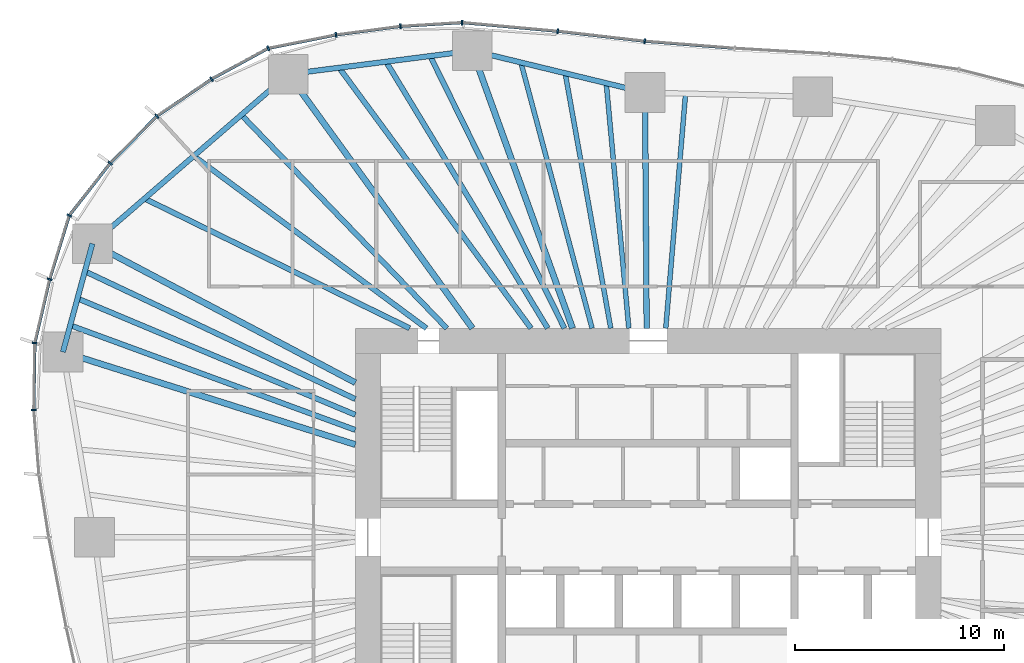
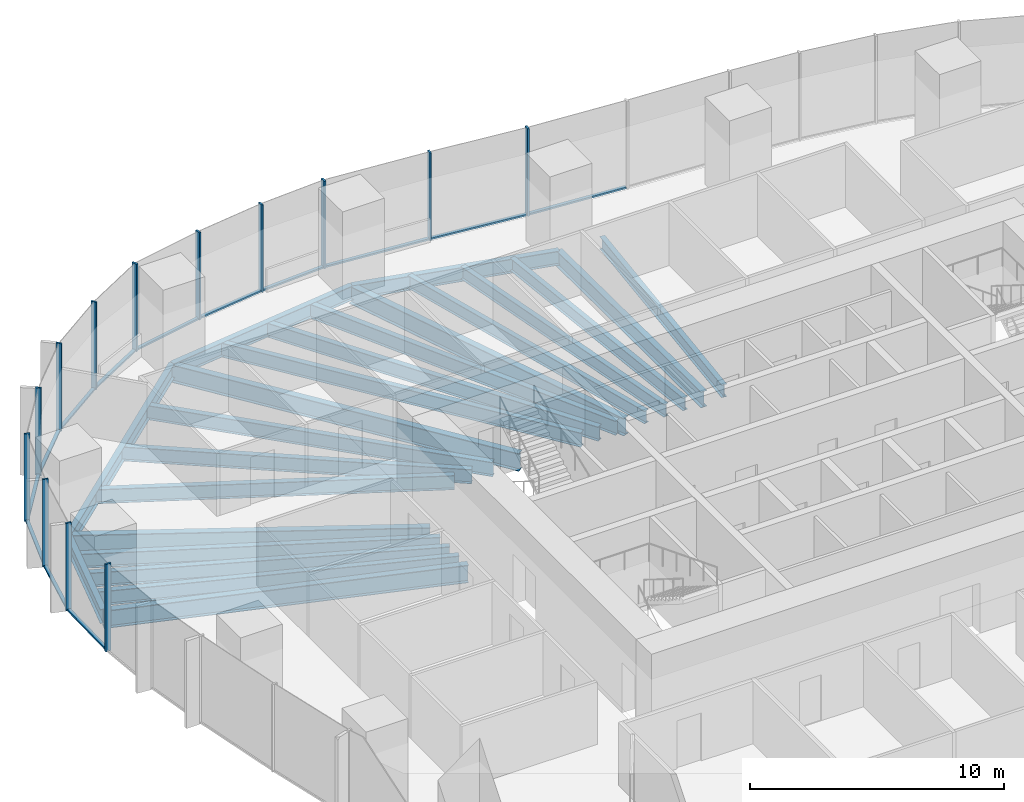
# One storey, part 5 of 20: 26 members, 22 beams, 6 elements without a shape of their own.
"""IFC4 building model written with IfcOpenShell, lengths in metres."""

from ifc_helpers import new_model, si_unit, direction, frame, origin, origin_2d, place, context, subcontext, project, spatial, rectangle, i_section, extrude, material, material_profile, profile_set, type_object, element, aggregate, save


model = new_model("IFC4")

# Units and contexts
model_context = context("Model", 3, precision=1e-05, world=origin(), true_north=direction((0.0, 1.0)))
body_context = subcontext(model_context, "Body", "Model", "MODEL_VIEW")
ifc_project = project(units=[si_unit("LENGTHUNIT", "METRE"), si_unit("AREAUNIT", "SQUARE_METRE"), si_unit("VOLUMEUNIT", "CUBIC_METRE"), si_unit("PLANEANGLEUNIT", "RADIAN"), si_unit("MASSUNIT", "GRAM", prefix="KILO")], contexts=[model_context])

# Site, building, storey
site_placement = place(None, origin())
site = spatial("IfcSite", under=ifc_project, at=site_placement, CompositionType="ELEMENT")
building_placement = place(site_placement, origin())
building = spatial("IfcBuilding", under=site, at=building_placement, Name="Ghaith Harvest Tower", CompositionType="ELEMENT")
storey_placement = place(building_placement, frame((0.0, 0.0, 109.199951171875)))
storey = spatial("IfcBuildingStorey", under=building, at=storey_placement, Name="L22", CompositionType="ELEMENT", Elevation=109.199951171875)

# Curtain wall, members
ifc_material_1 = material(Name="Black anodised aluminium and fritted glass", Category="aluminium")
curtain_wall_type = type_object("IfcCurtainWallType", Name="CW-L CURTAIN WALL", PredefinedType="NOTDEFINED", material=ifc_material_1)
curtain_wall_1_placement = place(storey_placement, origin())
curtain_wall_1 = element("IfcCurtainWall", 1, at=curtain_wall_1_placement, inside=storey, type_object=curtain_wall_type, Name="Curtain wall CW-L bay 06 L22", PredefinedType="NOTDEFINED")
ifc_material_2 = material(Name="Aluminium, black anodised", Category="aluminium")
ifc_material_profile_1 = material_profile(ifc_material_2, rectangle(XDim=0.080078125, YDim=0.239990234375, at=origin_2d()), Name="CW-L MULLION 80x240")
ifc_profile_set_1 = profile_set([ifc_material_profile_1], Name="Aluminium, black anodised")
member_type_1 = type_object("IfcMemberType", Name="CW-L MULLION 80x240", PredefinedType="MULLION", material=ifc_profile_set_1)
member_1_placement = place(storey_placement, frame((-0.162353515625, 23.729736328125, 0.0), z_axis=(0.0, 0.0, 1.0), x_axis=(-0.995388088953, 0.095929934691, 0.0)))
member_1 = element("IfcMember", 2, at=member_1_placement, type_object=member_type_1, Name="CW-L mullion 1 bay 06 L22", PredefinedType="MULLION", context=body_context, shape_type="SweptSolid", body=[
    extrude(rectangle(XDim=0.080078125, YDim=0.239990234375, at=origin_2d()), origin(), (0.0, 0.0, 1.0), 4.199951171875),
])
member_2_placement = place(storey_placement, frame((-4.322998046875, 24.207275390625, 0.0), z_axis=(0.0, 0.0, 1.0), x_axis=(-0.994830371571, 0.101550636625, 0.0)))
member_2 = element("IfcMember", 3, at=member_2_placement, type_object=member_type_1, Name="CW-L mullion 2 bay 06 L22", PredefinedType="MULLION", context=body_context, shape_type="SweptSolid", body=[
    extrude(rectangle(XDim=0.080078125, YDim=0.239990234375, at=origin_2d()), origin(), (0.0, 0.0, 1.0), 4.199951171875),
])

curtain_wall_2_placement = place(storey_placement, origin())
curtain_wall_2 = element("IfcCurtainWall", 4, at=curtain_wall_2_placement, inside=storey, type_object=curtain_wall_type, Name="Curtain wall CW-L bay 07 L22", PredefinedType="NOTDEFINED")
member_3_placement = place(storey_placement, frame((-8.892578125, 24.620849609375, 0.0), z_axis=(0.0, 0.0, 1.0), x_axis=(-0.999522209385, 0.030908784286, 0.0)))
member_3 = element("IfcMember", 5, at=member_3_placement, type_object=member_type_1, Name="CW-L mullion 1 bay 07 L22", PredefinedType="MULLION", context=body_context, shape_type="SweptSolid", body=[
    extrude(rectangle(XDim=0.080078125, YDim=0.239990234375, at=origin_2d()), origin(), (0.0, 0.0, 1.0), 4.199951171875),
])
member_4_placement = place(storey_placement, frame((-11.841064453125, 24.439697265625, 0.0), z_axis=(0.0, 0.0, 1.0), x_axis=(-0.995237520168, -0.097479630949, 0.0)))
member_4 = element("IfcMember", 6, at=member_4_placement, type_object=member_type_1, Name="CW-L mullion 2 bay 07 L22", PredefinedType="MULLION", context=body_context, shape_type="SweptSolid", body=[
    extrude(rectangle(XDim=0.080078125, YDim=0.239990234375, at=origin_2d()), origin(), (0.0, 0.0, 1.0), 4.199951171875),
])
member_5_placement = place(storey_placement, frame((-14.923828125, 24.030029296875, 0.0), z_axis=(0.0, 0.0, 1.0), x_axis=(-0.986494514812, -0.163794298578, 0.0)))
member_5 = element("IfcMember", 7, at=member_5_placement, type_object=member_type_1, Name="CW-L mullion 3 bay 07 L22", PredefinedType="MULLION", context=body_context, shape_type="SweptSolid", body=[
    extrude(rectangle(XDim=0.080078125, YDim=0.239990234375, at=origin_2d()), origin(), (0.0, 0.0, 1.0), 4.199951171875),
])

curtain_wall_3_placement = place(storey_placement, origin())
curtain_wall_3 = element("IfcCurtainWall", 8, at=curtain_wall_3_placement, inside=storey, type_object=curtain_wall_type, Name="Curtain wall CW-L bay 08 L22", PredefinedType="NOTDEFINED")
member_6_placement = place(storey_placement, frame((-18.165283203125, 23.3896484375, 0.0), z_axis=(0.0, 0.0, 1.0), x_axis=(-0.942103541202, -0.335322110298, 0.0)))
member_6 = element("IfcMember", 9, at=member_6_placement, type_object=member_type_1, Name="CW-L mullion 1 bay 08 L22", PredefinedType="MULLION", context=body_context, shape_type="SweptSolid", body=[
    extrude(rectangle(XDim=0.080078125, YDim=0.239990234375, at=origin_2d()), origin(), (0.0, 0.0, 1.0), 4.199951171875),
])
member_7_placement = place(storey_placement, frame((-20.87548828125, 21.91162109375, 0.0), z_axis=(0.0, 0.0, 1.0), x_axis=(-0.853515864435, -0.521066856707, 0.0)))
member_7 = element("IfcMember", 10, at=member_7_placement, type_object=member_type_1, Name="CW-L mullion 2 bay 08 L22", PredefinedType="MULLION", context=body_context, shape_type="SweptSolid", body=[
    extrude(rectangle(XDim=0.080078125, YDim=0.239990234375, at=origin_2d()), origin(), (0.0, 0.0, 1.0), 4.199951171875),
])
member_8_placement = place(storey_placement, frame((-23.489501953125, 20.13916015625, 0.0), z_axis=(0.0, 0.0, 1.0), x_axis=(-0.769682554376, -0.638426789451, 0.0)))
member_8 = element("IfcMember", 11, at=member_8_placement, type_object=member_type_1, Name="CW-L mullion 3 bay 08 L22", PredefinedType="MULLION", context=body_context, shape_type="SweptSolid", body=[
    extrude(rectangle(XDim=0.080078125, YDim=0.239990234375, at=origin_2d()), origin(), (0.0, 0.0, 1.0), 4.199951171875),
])

curtain_wall_4_placement = place(storey_placement, origin())
curtain_wall_4 = element("IfcCurtainWall", 12, at=curtain_wall_4_placement, inside=storey, type_object=curtain_wall_type, Name="Curtain wall CW-L bay 09 L22", PredefinedType="NOTDEFINED")
member_9_placement = place(storey_placement, frame((-25.718017578125, 17.894775390625, 0.0), z_axis=(0.0, 0.0, 1.0), x_axis=(-0.661903840688, -0.749588757708, 0.0)))
member_9 = element("IfcMember", 13, at=member_9_placement, type_object=member_type_1, Name="CW-L mullion 1 bay 09 L22", PredefinedType="MULLION", context=body_context, shape_type="SweptSolid", body=[
    extrude(rectangle(XDim=0.080078125, YDim=0.239990234375, at=origin_2d()), origin(), (0.0, 0.0, 1.0), 4.199951171875),
])
member_10_placement = place(storey_placement, frame((-27.67919921875, 15.39453125, 0.0), z_axis=(0.0, 0.0, 1.0), x_axis=(-0.462889784298, -0.886415843491, 0.0)))
member_10 = element("IfcMember", 14, at=member_10_placement, type_object=member_type_1, Name="CW-L mullion 2 bay 09 L22", PredefinedType="MULLION", context=body_context, shape_type="SweptSolid", body=[
    extrude(rectangle(XDim=0.080078125, YDim=0.239990234375, at=origin_2d()), origin(), (0.0, 0.0, 1.0), 4.199951171875),
])
member_11_placement = place(storey_placement, frame((-28.61669921875, 12.343994140625, 0.0), z_axis=(0.0, 0.0, 1.0), x_axis=(-0.260727312416, -0.965412486226, 0.0)))
member_11 = element("IfcMember", 15, at=member_11_placement, type_object=member_type_1, Name="CW-L mullion 3 bay 09 L22", PredefinedType="MULLION", context=body_context, shape_type="SweptSolid", body=[
    extrude(rectangle(XDim=0.080078125, YDim=0.239990234375, at=origin_2d()), origin(), (0.0, 0.0, 1.0), 4.199951171875),
])

curtain_wall_5_placement = place(storey_placement, origin())
curtain_wall_5 = element("IfcCurtainWall", 16, at=curtain_wall_5_placement, inside=storey, type_object=curtain_wall_type, Name="Curtain wall CW-L bay 10 L22", PredefinedType="NOTDEFINED")
member_12_placement = place(storey_placement, frame((-29.32666015625, 9.294189453125, 0.0), z_axis=(0.0, 0.0, 1.0), x_axis=(-0.120932140225, -0.99266077663, 0.0)))
member_12 = element("IfcMember", 17, at=member_12_placement, type_object=member_type_1, Name="CW-L mullion 1 bay 10 L22", PredefinedType="MULLION", context=body_context, shape_type="SweptSolid", body=[
    extrude(rectangle(XDim=0.080078125, YDim=0.239990234375, at=origin_2d()), origin(), (0.0, 0.0, 1.0), 4.199951171875),
])
member_13_placement = place(storey_placement, frame((-29.3779296875, 6.09619140625, 0.0), z_axis=(0.0, 0.0, 1.0), x_axis=(0.031027769448, -0.999518522851, 0.0)))
member_13 = element("IfcMember", 18, at=member_13_placement, type_object=member_type_1, Name="CW-L mullion 2 bay 10 L22", PredefinedType="MULLION", context=body_context, shape_type="SweptSolid", body=[
    extrude(rectangle(XDim=0.080078125, YDim=0.239990234375, at=origin_2d()), origin(), (0.0, 0.0, 1.0), 4.199951171875),
])

# Curtain wall, member
curtain_wall_6_placement = place(storey_placement, origin())
curtain_wall_6 = element("IfcCurtainWall", 19, at=curtain_wall_6_placement, inside=storey, type_object=curtain_wall_type, Name="Curtain wall CW-L bay 05 L22", PredefinedType="NOTDEFINED")
ifc_material_3 = material(Name="Aluminium, black anodised", Category="aluminium")
ifc_material_profile_2 = material_profile(ifc_material_3, rectangle(XDim=0.14990234375, YDim=0.080078125, at=origin_2d()), Name="CW-L TRANSOM 150x80")
ifc_profile_set_2 = profile_set([ifc_material_profile_2], Name="Aluminium, black anodised")
member_type_2 = type_object("IfcMemberType", Name="CW-L TRANSOM 150x80", PredefinedType="USERDEFINED", material=ifc_profile_set_2)
member_14_placement = place(storey_placement, frame((4.106689453125, 23.39404296875, 0.0400390625), z_axis=(-0.996923406046, 0.078381901463, 0.0), x_axis=(-0.078381901463, -0.996923406046, 0.0)))
member_14 = element("IfcMember", 20, at=member_14_placement, type_object=member_type_2, Name="CW-L transom 2 bay 05 L22", ObjectType="TRANSOM", PredefinedType="USERDEFINED", context=body_context, shape_type="SweptSolid", body=[
    extrude(rectangle(XDim=0.14990234375, YDim=0.080078125, at=origin_2d()), origin(), (0.0, 0.0, 1.0), 4.2421875),
])
aggregate(curtain_wall_6, [member_14])

# Member
member_15_placement = place(storey_placement, frame((-0.2021484375, 23.734130859375, 0.0400390625), z_axis=(-0.993474883942, 0.114051106861, 0.0), x_axis=(-0.114051106861, -0.993474883942, 0.0)))
member_15 = element("IfcMember", 21, at=member_15_placement, type_object=member_type_2, Name="CW-L transom 1 bay 06 L22", ObjectType="TRANSOM", PredefinedType="USERDEFINED", context=body_context, shape_type="SweptSolid", body=[
    extrude(rectangle(XDim=0.14990234375, YDim=0.080078125, at=origin_2d()), origin(), (0.0, 0.0, 1.0), 4.10791015625),
])

member_16_placement = place(storey_placement, frame((-4.36279296875, 24.210693359375, 0.0400390625), z_axis=(-0.995926431676, 0.090169521954, 0.0), x_axis=(-0.090169521954, -0.995926431676, 0.0)))
member_16 = element("IfcMember", 22, at=member_16_placement, type_object=member_type_2, Name="CW-L transom 2 bay 06 L22", ObjectType="TRANSOM", PredefinedType="USERDEFINED", context=body_context, shape_type="SweptSolid", body=[
    extrude(rectangle(XDim=0.14990234375, YDim=0.080078125, at=origin_2d()), origin(), (0.0, 0.0, 1.0), 4.508056640625),
])

aggregate(curtain_wall_1, [member_1, member_15, member_2, member_16])

member_17_placement = place(storey_placement, frame((-8.932373046875, 24.618408203125, 0.0400390625), z_axis=(-0.998117793577, -0.061325933705, 0.0), x_axis=(0.061325933705, -0.998117793577, 0.0)))
member_17 = element("IfcMember", 23, at=member_17_placement, type_object=member_type_2, Name="CW-L transom 1 bay 07 L22", ObjectType="TRANSOM", PredefinedType="USERDEFINED", context=body_context, shape_type="SweptSolid", body=[
    extrude(rectangle(XDim=0.14990234375, YDim=0.080078125, at=origin_2d()), origin(), (0.0, 0.0, 1.0), 2.874267578125),
])

member_18_placement = place(storey_placement, frame((-11.880859375, 24.434326171875, 0.0400390625), z_axis=(-0.991293929443, -0.131667556553, 0.0), x_axis=(0.131667556553, -0.991293929443, 0.0)))
member_18 = element("IfcMember", 24, at=member_18_placement, type_object=member_type_2, Name="CW-L transom 2 bay 07 L22", ObjectType="TRANSOM", PredefinedType="USERDEFINED", context=body_context, shape_type="SweptSolid", body=[
    extrude(rectangle(XDim=0.14990234375, YDim=0.080078125, at=origin_2d()), origin(), (0.0, 0.0, 1.0), 3.02978515625),
])

member_19_placement = place(storey_placement, frame((-14.963134765625, 24.022216796875, 0.0400390625), z_axis=(-0.98104391994, -0.19378551842, 0.0), x_axis=(0.19378551842, -0.98104391994, 0.0)))
member_19 = element("IfcMember", 25, at=member_19_placement, type_object=member_type_2, Name="CW-L transom 3 bay 07 L22", ObjectType="TRANSOM", PredefinedType="USERDEFINED", context=body_context, shape_type="SweptSolid", body=[
    extrude(rectangle(XDim=0.14990234375, YDim=0.080078125, at=origin_2d()), origin(), (0.0, 0.0, 1.0), 3.223876953125),
])

aggregate(curtain_wall_2, [member_3, member_17, member_4, member_18, member_5, member_19])

member_20_placement = place(storey_placement, frame((-18.200439453125, 23.37060546875, 0.0400390625), z_axis=(-0.877929702377, -0.478789554695, 0.0), x_axis=(0.478789554695, -0.877929702377, 0.0)))
member_20 = element("IfcMember", 26, at=member_20_placement, type_object=member_type_2, Name="CW-L transom 1 bay 08 L22", ObjectType="TRANSOM", PredefinedType="USERDEFINED", context=body_context, shape_type="SweptSolid", body=[
    extrude(rectangle(XDim=0.14990234375, YDim=0.080078125, at=origin_2d()), origin(), (0.0, 0.0, 1.0), 3.0068359375),
])

member_21_placement = place(storey_placement, frame((-20.908447265625, 21.88916015625, 0.0400390625), z_axis=(-0.827681025079, -0.561198824593, 0.0), x_axis=(0.561198824593, -0.827681025079, 0.0)))
member_21 = element("IfcMember", 27, at=member_21_placement, type_object=member_type_2, Name="CW-L transom 2 bay 08 L22", ObjectType="TRANSOM", PredefinedType="USERDEFINED", context=body_context, shape_type="SweptSolid", body=[
    extrude(rectangle(XDim=0.14990234375, YDim=0.080078125, at=origin_2d()), origin(), (0.0, 0.0, 1.0), 3.078369140625),
])

member_22_placement = place(storey_placement, frame((-23.517578125, 20.11083984375, 0.0400390625), z_axis=(-0.704647577514, -0.709557461735, 0.0), x_axis=(0.709557461735, -0.704647577514, 0.0)))
member_22 = element("IfcMember", 28, at=member_22_placement, type_object=member_type_2, Name="CW-L transom 3 bay 08 L22", ObjectType="TRANSOM", PredefinedType="USERDEFINED", context=body_context, shape_type="SweptSolid", body=[
    extrude(rectangle(XDim=0.14990234375, YDim=0.080078125, at=origin_2d()), origin(), (0.0, 0.0, 1.0), 3.0830078125),
])

aggregate(curtain_wall_3, [member_6, member_20, member_7, member_21, member_8, member_22])

member_23_placement = place(storey_placement, frame((-25.74267578125, 17.86328125, 0.0400390625), z_axis=(-0.617198298797, -0.786807638474, 0.0), x_axis=(0.786807638474, -0.617198298797, 0.0)))
member_23 = element("IfcMember", 29, at=member_23_placement, type_object=member_type_2, Name="CW-L transom 1 bay 09 L22", ObjectType="TRANSOM", PredefinedType="USERDEFINED", context=body_context, shape_type="SweptSolid", body=[
    extrude(rectangle(XDim=0.14990234375, YDim=0.080078125, at=origin_2d()), origin(), (0.0, 0.0, 1.0), 3.09765625),
])

member_24_placement = place(storey_placement, frame((-27.69091796875, 15.356201171875, 0.0400390625), z_axis=(-0.293777058804, -0.955873966441, 0.0), x_axis=(0.955873966441, -0.293777058804, 0.0)))
member_24 = element("IfcMember", 30, at=member_24_placement, type_object=member_type_2, Name="CW-L transom 2 bay 09 L22", ObjectType="TRANSOM", PredefinedType="USERDEFINED", context=body_context, shape_type="SweptSolid", body=[
    extrude(rectangle(XDim=0.14990234375, YDim=0.080078125, at=origin_2d()), origin(), (0.0, 0.0, 1.0), 3.111328125),
])

member_25_placement = place(storey_placement, frame((-28.6259765625, 12.304931640625, 0.0400390625), z_axis=(-0.226670598607, -0.973971477882, 0.0), x_axis=(0.973971477882, -0.226670598607, 0.0)))
member_25 = element("IfcMember", 31, at=member_25_placement, type_object=member_type_2, Name="CW-L transom 3 bay 09 L22", ObjectType="TRANSOM", PredefinedType="USERDEFINED", context=body_context, shape_type="SweptSolid", body=[
    extrude(rectangle(XDim=0.14990234375, YDim=0.080078125, at=origin_2d()), origin(), (0.0, 0.0, 1.0), 3.05126953125),
])

aggregate(curtain_wall_4, [member_9, member_23, member_10, member_24, member_11, member_25])

member_26_placement = place(storey_placement, frame((-29.327392578125, 9.254150390625, 0.0400390625), z_axis=(-0.015971652868, -0.999872445017, 0.0), x_axis=(0.999872445017, -0.015971652868, 0.0)))
member_26 = element("IfcMember", 32, at=member_26_placement, type_object=member_type_2, Name="CW-L transom 1 bay 10 L22", ObjectType="TRANSOM", PredefinedType="USERDEFINED", context=body_context, shape_type="SweptSolid", body=[
    extrude(rectangle(XDim=0.14990234375, YDim=0.080078125, at=origin_2d()), origin(), (0.0, 0.0, 1.0), 3.118408203125),
])

aggregate(curtain_wall_5, [member_12, member_26, member_13])

# Beams
ifc_material_4 = material(Name="Steel ASTM A992 Grade 50", Category="steel")
ifc_material_profile_3 = material_profile(ifc_material_4, i_section(OverallWidth=0.25390625, OverallDepth=0.68408203125, WebThickness=0.012451171875, FlangeThickness=0.018798828125, at=origin_2d()), Name="W690X140")
ifc_profile_set_3 = profile_set([ifc_material_profile_3], Name="Steel ASTM A992 Grade 50")
beam_type_1 = type_object("IfcBeamType", Name="E690-140 W690X140", PredefinedType="SPANDREL", material=ifc_profile_set_3)
beam_1_placement = place(storey_placement, frame((-0.14599609375, 21.27099609375, -0.511962890625), z_axis=(-0.971790293477, 0.235846614358, 0.0), x_axis=(-0.235846614358, -0.971790293477, 0.0)))
element("IfcBeam", 33, at=beam_1_placement, inside=storey, type_object=beam_type_1, Name="Edge beam E06 L22", PredefinedType="SPANDREL", context=body_context, shape_type="SweptSolid", body=[
    extrude(i_section(OverallWidth=0.25390625, OverallDepth=0.68408203125, WebThickness=0.012451171875, FlangeThickness=0.018798828125, at=origin_2d()), origin(), (0.0, 0.0, 1.0), 8.500732421875),
])
beam_2_placement = place(storey_placement, frame((-8.406982421875, 23.27587890625, -0.511962890625), z_axis=(-0.991904090065, -0.126989275577, 0.0), x_axis=(0.126989275577, -0.991904090065, 0.0)))
element("IfcBeam", 34, at=beam_2_placement, inside=storey, type_object=beam_type_1, Name="Edge beam E07 L22", PredefinedType="SPANDREL", context=body_context, shape_type="SweptSolid", body=[
    extrude(i_section(OverallWidth=0.25390625, OverallDepth=0.68408203125, WebThickness=0.012451171875, FlangeThickness=0.018798828125, at=origin_2d()), origin(), (0.0, 0.0, 1.0), 8.86669921875),
])
beam_3_placement = place(storey_placement, frame((-17.201904296875, 22.14990234375, -0.511962890625), z_axis=(-0.756392158274, -0.654118416574, 0.0), x_axis=(0.654118416574, -0.756392158274, 0.0)))
element("IfcBeam", 35, at=beam_3_placement, inside=storey, type_object=beam_type_1, Name="Edge beam E08 L22", PredefinedType="SPANDREL", context=body_context, shape_type="SweptSolid", body=[
    extrude(i_section(OverallWidth=0.25390625, OverallDepth=0.68408203125, WebThickness=0.012451171875, FlangeThickness=0.018798828125, at=origin_2d()), origin(), (0.0, 0.0, 1.0), 12.38916015625),
])
beam_4_placement = place(storey_placement, frame((-26.572998046875, 14.0458984375, -0.511962890625), z_axis=(-0.262724740433, -0.964870825947, 0.0), x_axis=(0.964870825947, -0.262724740433, 0.0)))
element("IfcBeam", 36, at=beam_4_placement, inside=storey, type_object=beam_type_1, Name="Edge beam E09 L22", PredefinedType="SPANDREL", context=body_context, shape_type="SweptSolid", body=[
    extrude(i_section(OverallWidth=0.25390625, OverallDepth=0.68408203125, WebThickness=0.012451171875, FlangeThickness=0.018798828125, at=origin_2d()), origin(), (0.0, 0.0, 1.0), 5.366455078125),
])
ifc_material_5 = material(Name="Steel ASTM A992 Grade 50", Category="steel")
ifc_material_profile_4 = material_profile(ifc_material_5, i_section(OverallWidth=0.26806640625, OverallDepth=0.77001953125, WebThickness=0.015625, FlangeThickness=0.025390625, at=origin_2d()), Name="W760X196")
ifc_profile_set_4 = profile_set([ifc_material_profile_4], Name="Steel ASTM A992 Grade 50")
beam_type_2 = type_object("IfcBeamType", Name="G760-196 W760X196", PredefinedType="BEAM", material=ifc_profile_set_4)
beam_5_placement = place(storey_placement, frame((-0.068359375, 10.0, -0.554931640625), z_axis=(-0.006888022705, 0.99997627729, 0.0), x_axis=(-0.99997627729, -0.006888022705, 0.0)))
element("IfcBeam", 37, at=beam_5_placement, inside=storey, type_object=beam_type_2, Name="Radial girder G06 L22", PredefinedType="BEAM", context=body_context, shape_type="SweptSolid", body=[
    extrude(i_section(OverallWidth=0.26806640625, OverallDepth=0.77001953125, WebThickness=0.015625, FlangeThickness=0.025390625, at=origin_2d()), origin(), (0.0, 0.0, 1.0), 11.271240234375),
])
ifc_material_6 = material(Name="Steel ASTM A992 Grade 50", Category="steel")
ifc_material_profile_5 = material_profile(ifc_material_6, i_section(OverallWidth=0.2939453125, OverallDepth=0.85107421875, WebThickness=0.01611328125, FlangeThickness=0.02685546875, at=origin_2d()), Name="W840X226")
ifc_profile_set_5 = profile_set([ifc_material_profile_5], Name="Steel ASTM A992 Grade 50")
beam_type_3 = type_object("IfcBeamType", Name="G840-226 W840X226", PredefinedType="BEAM", material=ifc_profile_set_5)
beam_6_placement = place(storey_placement, frame((-3.61181640625, 10.0, -0.595458984375), z_axis=(-0.339713316819, 0.940529033245, 0.0), x_axis=(-0.940529033245, -0.339713316819, 0.0)))
element("IfcBeam", 38, at=beam_6_placement, inside=storey, type_object=beam_type_3, Name="Radial girder G07 L22", PredefinedType="BEAM", context=body_context, shape_type="SweptSolid", body=[
    extrude(i_section(OverallWidth=0.2939453125, OverallDepth=0.85107421875, WebThickness=0.01611328125, FlangeThickness=0.02685546875, at=origin_2d()), origin(), (0.0, 0.0, 1.0), 14.115234375),
])
beam_7_placement = place(storey_placement, frame((-8.39990234375, 10.0, -0.595458984375), z_axis=(-0.586675813287, 0.809821887889, 0.0), x_axis=(-0.809821887889, -0.586675813287, 0.0)))
element("IfcBeam", 39, at=beam_7_placement, inside=storey, type_object=beam_type_3, Name="Radial girder G08 L22", PredefinedType="BEAM", context=body_context, shape_type="SweptSolid", body=[
    extrude(i_section(OverallWidth=0.2939453125, OverallDepth=0.85107421875, WebThickness=0.01611328125, FlangeThickness=0.02685546875, at=origin_2d()), origin(), (0.0, 0.0, 1.0), 15.003173828125),
])
beam_8_placement = place(storey_placement, frame((-14.0, 7.39990234375, -0.595458984375), z_axis=(-0.88408713845, 0.467322085533, 0.0), x_axis=(-0.467322085533, -0.88408713845, 0.0)))
element("IfcBeam", 40, at=beam_8_placement, inside=storey, type_object=beam_type_3, Name="Radial girder G09 L22", PredefinedType="BEAM", context=body_context, shape_type="SweptSolid", body=[
    extrude(i_section(OverallWidth=0.2939453125, OverallDepth=0.85107421875, WebThickness=0.01611328125, FlangeThickness=0.02685546875, at=origin_2d()), origin(), (0.0, 0.0, 1.0), 14.221435546875),
])
beam_9_placement = place(storey_placement, frame((-14.0, 4.43701171875, -0.595458984375), z_axis=(-0.953283605796, 0.302076756671, 0.0), x_axis=(-0.302076756671, -0.953283605796, 0.0)))
element("IfcBeam", 41, at=beam_9_placement, inside=storey, type_object=beam_type_3, Name="Radial girder G10 L22", PredefinedType="BEAM", context=body_context, shape_type="SweptSolid", body=[
    extrude(i_section(OverallWidth=0.2939453125, OverallDepth=0.85107421875, WebThickness=0.01611328125, FlangeThickness=0.02685546875, at=origin_2d()), origin(), (0.0, 0.0, 1.0), 14.668212890625),
])
ifc_material_7 = material(Name="Steel ASTM A992 Grade 50", Category="steel")
ifc_material_profile_6 = material_profile(ifc_material_7, i_section(OverallWidth=0.22900390625, OverallDepth=0.612060546875, WebThickness=0.011962890625, FlangeThickness=0.01953125, at=origin_2d()), Name="W610X125")
ifc_profile_set_6 = profile_set([ifc_material_profile_6], Name="Steel ASTM A992 Grade 50")
beam_type_4 = type_object("IfcBeamType", Name="J610-125 W610X125", PredefinedType="JOIST", material=ifc_profile_set_6)
beam_10_placement = place(storey_placement, frame((0.844970703125, 10.0, -0.475830078125), z_axis=(0.084213263804, 0.996447753873, 0.0), x_axis=(-0.996447753873, 0.084213263804, 0.0)))
element("IfcBeam", 42, at=beam_10_placement, inside=storey, type_object=beam_type_4, Name="Joist J05.3 L22", PredefinedType="JOIST", context=body_context, shape_type="SweptSolid", body=[
    extrude(i_section(OverallWidth=0.22900390625, OverallDepth=0.612060546875, WebThickness=0.011962890625, FlangeThickness=0.01953125, at=origin_2d()), origin(), (0.0, 0.0, 1.0), 11.262939453125),
])
beam_11_placement = place(storey_placement, frame((-0.92041015625, 10.0, -0.475830078125), z_axis=(-0.091659676302, 0.995790391468, 0.0), x_axis=(-0.995790391468, -0.091659676302, 0.0)))
element("IfcBeam", 43, at=beam_11_placement, inside=storey, type_object=beam_type_4, Name="Joist J06.1 L22", PredefinedType="JOIST", context=body_context, shape_type="SweptSolid", body=[
    extrude(i_section(OverallWidth=0.22900390625, OverallDepth=0.612060546875, WebThickness=0.011962890625, FlangeThickness=0.01953125, at=origin_2d()), origin(), (0.0, 0.0, 1.0), 11.770263671875),
])
beam_12_placement = place(storey_placement, frame((-1.785888671875, 10.0, -0.475830078125), z_axis=(-0.175794730188, 0.984426844838, 0.0), x_axis=(-0.984426844838, -0.175794730188, 0.0)))
element("IfcBeam", 44, at=beam_12_placement, inside=storey, type_object=beam_type_4, Name="Joist J06.2 L22", PredefinedType="JOIST", context=body_context, shape_type="SweptSolid", body=[
    extrude(i_section(OverallWidth=0.22900390625, OverallDepth=0.612060546875, WebThickness=0.011962890625, FlangeThickness=0.01953125, at=origin_2d()), origin(), (0.0, 0.0, 1.0), 12.390625),
])
beam_13_placement = place(storey_placement, frame((-2.677978515625, 10.0, -0.475830078125), z_axis=(-0.258692500157, 0.965959725021, 0.0), x_axis=(-0.965959725021, -0.258692500157, 0.0)))
element("IfcBeam", 45, at=beam_13_placement, inside=storey, type_object=beam_type_4, Name="Joist J06.3 L22", PredefinedType="JOIST", context=body_context, shape_type="SweptSolid", body=[
    extrude(i_section(OverallWidth=0.22900390625, OverallDepth=0.612060546875, WebThickness=0.011962890625, FlangeThickness=0.01953125, at=origin_2d()), origin(), (0.0, 0.0, 1.0), 13.15966796875),
])
ifc_material_8 = material(Name="Steel ASTM A992 Grade 50", Category="steel")
ifc_material_profile_7 = material_profile(ifc_material_8, i_section(OverallWidth=0.25390625, OverallDepth=0.68408203125, WebThickness=0.012451171875, FlangeThickness=0.018798828125, at=origin_2d()), Name="W690X140")
ifc_profile_set_7 = profile_set([ifc_material_profile_7], Name="Steel ASTM A992 Grade 50")
beam_type_5 = type_object("IfcBeamType", Name="J690-140 W690X140", PredefinedType="JOIST", material=ifc_profile_set_7)
beam_14_placement = place(storey_placement, frame((-4.0, 10.0, -0.511962890625), z_axis=(-0.442214455448, 0.896909346251, 0.0), x_axis=(-0.896909346251, -0.442214455448, 0.0)))
element("IfcBeam", 46, at=beam_14_placement, inside=storey, type_object=beam_type_5, Name="Joist J07.1 L22", PredefinedType="JOIST", context=body_context, shape_type="SweptSolid", body=[
    extrude(i_section(OverallWidth=0.25390625, OverallDepth=0.68408203125, WebThickness=0.012451171875, FlangeThickness=0.018798828125, at=origin_2d()), origin(), (0.0, 0.0, 1.0), 14.514892578125),
])
beam_15_placement = place(storey_placement, frame((-4.800048828125, 10.0, -0.511962890625), z_axis=(-0.51847337083, 0.855093774822, 0.0), x_axis=(-0.855093774822, -0.51847337083, 0.0)))
element("IfcBeam", 47, at=beam_15_placement, inside=storey, type_object=beam_type_5, Name="Joist J07.2 L22", PredefinedType="JOIST", context=body_context, shape_type="SweptSolid", body=[
    extrude(i_section(OverallWidth=0.25390625, OverallDepth=0.68408203125, WebThickness=0.012451171875, FlangeThickness=0.018798828125, at=origin_2d()), origin(), (0.0, 0.0, 1.0), 14.90869140625),
])
beam_16_placement = place(storey_placement, frame((-5.60009765625, 10.0, -0.511962890625), z_axis=(-0.592984827174, 0.805213632983, 0.0), x_axis=(-0.805213632983, -0.592984827174, 0.0)))
element("IfcBeam", 48, at=beam_16_placement, inside=storey, type_object=beam_type_5, Name="Joist J07.3 L22", PredefinedType="JOIST", context=body_context, shape_type="SweptSolid", body=[
    extrude(i_section(OverallWidth=0.25390625, OverallDepth=0.68408203125, WebThickness=0.012451171875, FlangeThickness=0.018798828125, at=origin_2d()), origin(), (0.0, 0.0, 1.0), 15.474609375),
])
beam_17_placement = place(storey_placement, frame((-9.626708984375, 10.0, -0.511962890625), z_axis=(-0.693535693616, 0.720422266231, 0.0), x_axis=(-0.720422266231, -0.693535693616, 0.0)))
element("IfcBeam", 49, at=beam_17_placement, inside=storey, type_object=beam_type_5, Name="Joist J08.1 L22", PredefinedType="JOIST", context=body_context, shape_type="SweptSolid", body=[
    extrude(i_section(OverallWidth=0.25390625, OverallDepth=0.68408203125, WebThickness=0.012451171875, FlangeThickness=0.018798828125, at=origin_2d()), origin(), (0.0, 0.0, 1.0), 14.16552734375),
])
beam_18_placement = place(storey_placement, frame((-10.60009765625, 10.0, -0.511962890625), z_axis=(-0.803663089107, 0.595084564752, 0.0), x_axis=(-0.595084564752, -0.803663089107, 0.0)))
element("IfcBeam", 50, at=beam_18_placement, inside=storey, type_object=beam_type_5, Name="Joist J08.2 L22", PredefinedType="JOIST", context=body_context, shape_type="SweptSolid", body=[
    extrude(i_section(OverallWidth=0.25390625, OverallDepth=0.68408203125, WebThickness=0.012451171875, FlangeThickness=0.018798828125, at=origin_2d()), origin(), (0.0, 0.0, 1.0), 13.843505859375),
])
beam_19_placement = place(storey_placement, frame((-11.39990234375, 10.0, -0.511962890625), z_axis=(-0.898274832354, 0.439434096946, 0.0), x_axis=(-0.439434096946, -0.898274832354, 0.0)))
element("IfcBeam", 51, at=beam_19_placement, inside=storey, type_object=beam_type_5, Name="Joist J08.3 L22", PredefinedType="JOIST", context=body_context, shape_type="SweptSolid", body=[
    extrude(i_section(OverallWidth=0.25390625, OverallDepth=0.68408203125, WebThickness=0.012451171875, FlangeThickness=0.018798828125, at=origin_2d()), origin(), (0.0, 0.0, 1.0), 14.114990234375),
])
beam_20_placement = place(storey_placement, frame((-14.0, 6.614990234375, -0.511962890625), z_axis=(-0.904153428261, 0.427207886354, 0.0), x_axis=(-0.427207886354, -0.904153428261, 0.0)))
element("IfcBeam", 52, at=beam_20_placement, inside=storey, type_object=beam_type_5, Name="Joist J09.1 L22", PredefinedType="JOIST", context=body_context, shape_type="SweptSolid", body=[
    extrude(i_section(OverallWidth=0.25390625, OverallDepth=0.68408203125, WebThickness=0.012451171875, FlangeThickness=0.018798828125, at=origin_2d()), origin(), (0.0, 0.0, 1.0), 14.303466796875),
])
beam_21_placement = place(storey_placement, frame((-14.0, 5.862548828125, -0.511962890625), z_axis=(-0.922385943167, 0.38626955853, 0.0), x_axis=(-0.38626955853, -0.922385943167, 0.0)))
element("IfcBeam", 53, at=beam_21_placement, inside=storey, type_object=beam_type_5, Name="Joist J09.2 L22", PredefinedType="JOIST", context=body_context, shape_type="SweptSolid", body=[
    extrude(i_section(OverallWidth=0.25390625, OverallDepth=0.68408203125, WebThickness=0.012451171875, FlangeThickness=0.018798828125, at=origin_2d()), origin(), (0.0, 0.0, 1.0), 14.404296875),
])
beam_22_placement = place(storey_placement, frame((-14.0, 5.137939453125, -0.511962890625), z_axis=(-0.93877541132, 0.344529718748, 0.0), x_axis=(-0.344529718748, -0.93877541132, 0.0)))
element("IfcBeam", 54, at=beam_22_placement, inside=storey, type_object=beam_type_5, Name="Joist J09.3 L22", PredefinedType="JOIST", context=body_context, shape_type="SweptSolid", body=[
    extrude(i_section(OverallWidth=0.25390625, OverallDepth=0.68408203125, WebThickness=0.012451171875, FlangeThickness=0.018798828125, at=origin_2d()), origin(), (0.0, 0.0, 1.0), 14.525390625),
])

save(model, "model.ifc")
